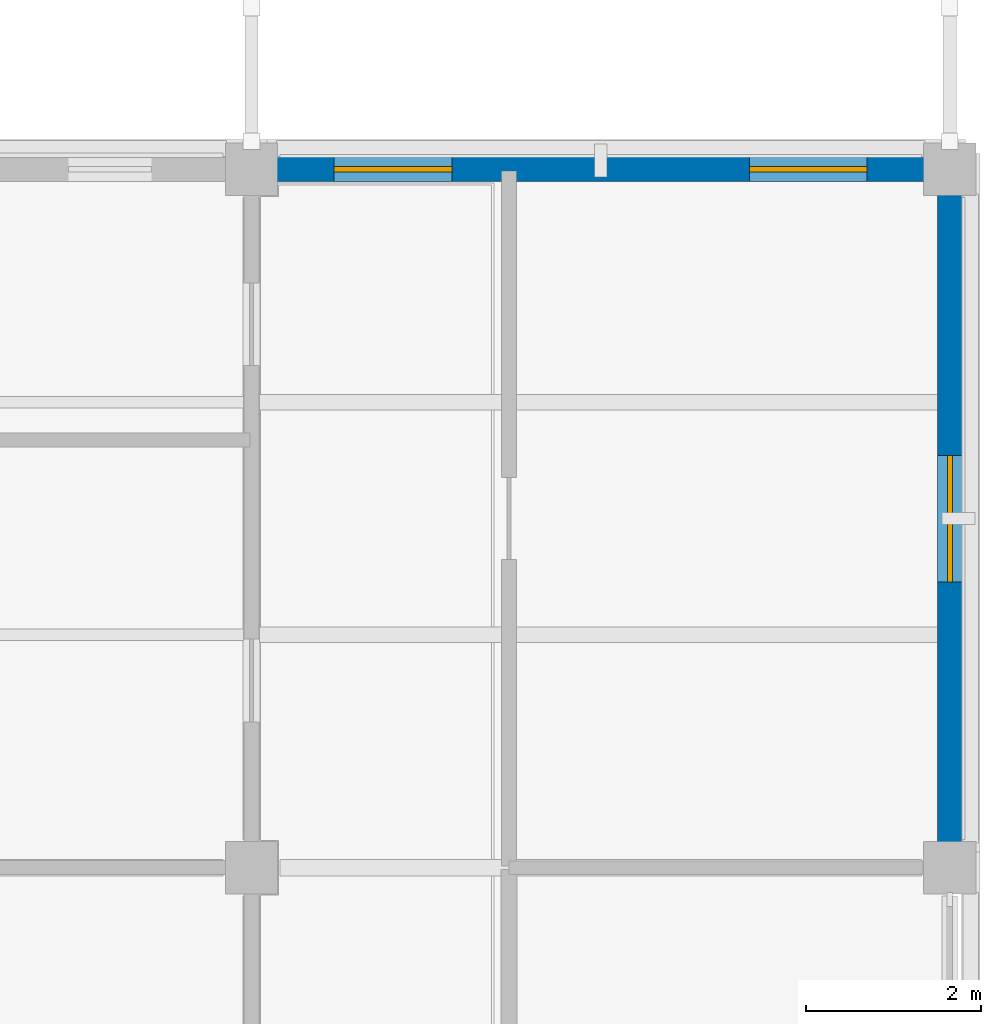
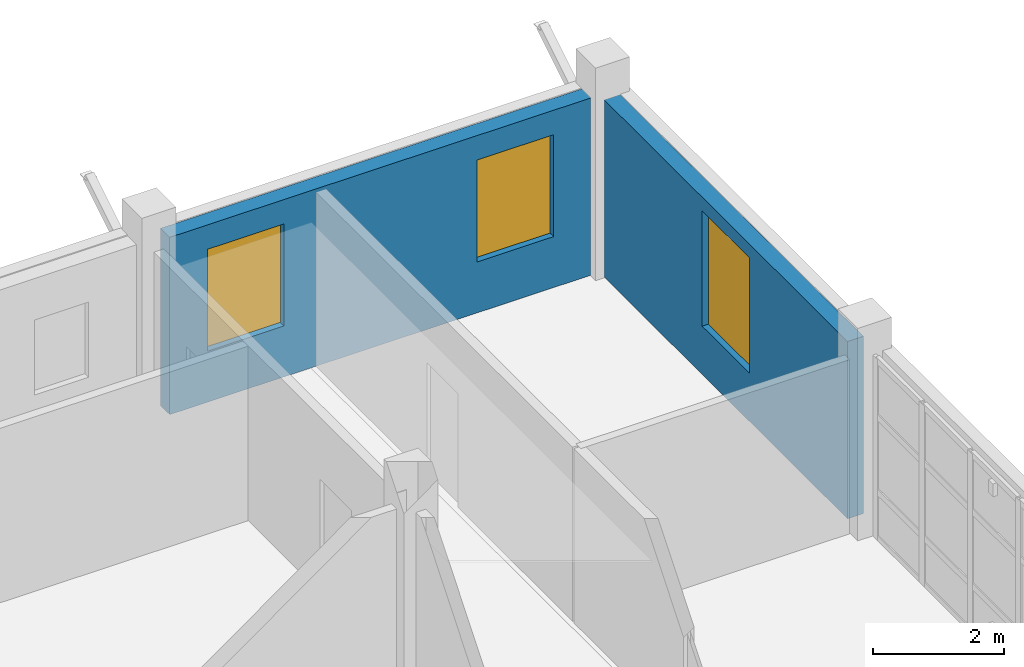
# One storey, part 28 of 35: 3 windows, 2 walls, 3 openings.
"""IFC4 building model written with IfcOpenShell, lengths in metres."""

from ifc_helpers import new_model, si_unit, derived_unit, direction, frame, frame_2d, origin, place, context, subcontext, project, spatial, rectangle, extrude, material, layer, layer_set, type_object, element, fill, save


model = new_model("IFC4")

# Units and contexts
model_context = context("Model", 3, precision=1e-05, world=origin(), true_north=direction((0.0, 1.0)))
body_context = subcontext(model_context, "Body", "Model", "MODEL_VIEW")
ifc_project = project(units=[si_unit("LENGTHUNIT", "METRE"), si_unit("AREAUNIT", "SQUARE_METRE"), si_unit("VOLUMEUNIT", "CUBIC_METRE"), si_unit("PLANEANGLEUNIT", "RADIAN"), si_unit("MASSUNIT", "GRAM", prefix="KILO"), derived_unit("THERMALTRANSMITTANCEUNIT", [(si_unit("MASSUNIT", "GRAM", prefix="KILO"), 1), (si_unit("TIMEUNIT", "SECOND"), -3), (si_unit("THERMODYNAMICTEMPERATUREUNIT", "KELVIN"), -1)])], contexts=[model_context])

# Site, building, storey
site_placement = place(None, origin())
site = spatial("IfcSite", under=ifc_project, at=site_placement, CompositionType="ELEMENT")
building_placement = place(site_placement, origin())
building = spatial("IfcBuilding", under=site, at=building_placement, Name="Veyamyaing Civic Hall", CompositionType="ELEMENT")
storey_placement = place(building_placement, frame((0.0, 0.0, 21.780029296875)))
storey = spatial("IfcBuildingStorey", under=building, at=storey_placement, Name="L05", CompositionType="ELEMENT", Elevation=21.780029296875)

# Wall, openings, windows
ifc_material_1 = material(Name="Precast concrete C40/50", Category="concrete")
ifc_layer = layer(ifc_material_1, 0.280029296875, Name="Precast concrete C40/50")
ifc_layer_set = layer_set([ifc_layer], Name="Precast concrete C40/50")
wall_type = type_object("IfcWallType", Name="WT-04", PredefinedType="SOLIDWALL", material=ifc_layer_set)
wall_1_placement = place(storey_placement, frame((168.284912109375, 112.0, 0.0), z_axis=(0.0, 0.0, 1.0), x_axis=(1.0, 0.0, 0.0)))
wall_1 = element("IfcWall", 1, at=wall_1_placement, inside=storey, type_object=wall_type, Name="Exterior facade wall WT-04 L05 N 22.14", PredefinedType="SOLIDWALL", context=body_context, shape_type="SweptSolid", body=[
    extrude(rectangle(XDim=7.43017578125, YDim=0.280029296875, at=frame_2d((3.715087890625, 0.0))), origin(), (0.0, 0.0, 1.0), 3.304931640625),
])
opening_1_placement = place(wall_1_placement, frame((0.662353515625, 0.0, 0.949951171875)))
opening_1 = element("IfcOpeningElement", 2, at=opening_1_placement, cuts=wall_1, Name="Opening W-13", PredefinedType="OPENING", context=body_context, shape_type="SweptSolid", body=[
    extrude(rectangle(XDim=1.35009765625, YDim=1.89990234375, at=frame_2d((0.675048828125, 0.949951171875))), frame((0.0, 0.14990234375, 0.0), z_axis=(0.0, -1.0, 0.0), x_axis=(1.0, 0.0, 0.0)), (0.0, 0.0, 1.0), 0.300048828125),
])
opening_2_placement = place(wall_1_placement, frame((5.41748046875, 0.0, 0.949951171875)))
opening_2 = element("IfcOpeningElement", 3, at=opening_2_placement, cuts=wall_1, Name="Opening W-13", PredefinedType="OPENING", context=body_context, shape_type="SweptSolid", body=[
    extrude(rectangle(XDim=1.35009765625, YDim=1.89990234375, at=frame_2d((0.675048828125, 0.949951171875))), frame((0.0, 0.14990234375, 0.0), z_axis=(0.0, -1.0, 0.0), x_axis=(1.0, 0.0, 0.0)), (0.0, 0.0, 1.0), 0.300048828125),
])
ifc_material_2 = material(Name="Low-E insulated glass", Category="glass")
window_type_1 = type_object("IfcWindowType", Name="W-13", PartitioningType="SINGLE_PANEL", PredefinedType="WINDOW", material=ifc_material_2)
window_1_placement = place(opening_1_placement, origin())
window_1 = element("IfcWindow", 4, at=window_1_placement, inside=storey, type_object=window_type_1, Name="Facade window W-13 L05 N 22.14.1", OverallHeight=1.89990234375, OverallWidth=1.35009765625, PartitioningType="SINGLE_PANEL", PredefinedType="WINDOW", context=body_context, shape_type="SweptSolid", body=[
    extrude(rectangle(XDim=1.35009765625, YDim=1.89990234375, at=frame_2d((0.675048828125, 0.949951171875))), frame((0.0, 0.030029296875, 0.0), z_axis=(0.0, -1.0, 0.0), x_axis=(1.0, 0.0, 0.0)), (0.0, 0.0, 1.0), 0.06005859375),
])
fill(opening_1, window_1)
window_2_placement = place(opening_2_placement, origin())
window_2 = element("IfcWindow", 5, at=window_2_placement, inside=storey, type_object=window_type_1, Name="Facade window W-13 L05 N 22.14.2", OverallHeight=1.89990234375, OverallWidth=1.35009765625, PartitioningType="SINGLE_PANEL", PredefinedType="WINDOW", context=body_context, shape_type="SweptSolid", body=[
    extrude(rectangle(XDim=1.35009765625, YDim=1.89990234375, at=frame_2d((0.675048828125, 0.949951171875))), frame((0.0, 0.030029296875, 0.0), z_axis=(0.0, -1.0, 0.0), x_axis=(1.0, 0.0, 0.0)), (0.0, 0.0, 1.0), 0.06005859375),
])
fill(opening_2, window_2)

# Wall, opening, window
wall_2_placement = place(storey_placement, frame((176.0, 104.284912109375, 0.0), z_axis=(0.0, 0.0, 1.0), x_axis=(0.0, 1.0, 0.0)))
wall_2 = element("IfcWall", 6, at=wall_2_placement, inside=storey, type_object=wall_type, Name="Exterior facade wall WT-04 L05 E 22.14", PredefinedType="SOLIDWALL", context=body_context, shape_type="SweptSolid", body=[
    extrude(rectangle(XDim=7.43017578125, YDim=0.280029296875, at=frame_2d((3.715087890625, 0.0))), origin(), (0.0, 0.0, 1.0), 3.304931640625),
])
opening_3_placement = place(wall_2_placement, frame((2.989990234375, 0.0, 0.89990234375)))
opening_3 = element("IfcOpeningElement", 7, at=opening_3_placement, cuts=wall_2, Name="Opening W-23", PredefinedType="OPENING", context=body_context, shape_type="SweptSolid", body=[
    extrude(rectangle(XDim=1.449951171875, YDim=2.14990234375, at=frame_2d((0.72509765625, 1.074951171875))), frame((0.0, 0.14990234375, 0.0), z_axis=(0.0, -1.0, 0.0), x_axis=(1.0, 0.0, 0.0)), (0.0, 0.0, 1.0), 0.300048828125),
])
window_type_2 = type_object("IfcWindowType", Name="W-23", PartitioningType="SINGLE_PANEL", PredefinedType="WINDOW", material=ifc_material_2)
window_3_placement = place(opening_3_placement, origin())
window_3 = element("IfcWindow", 8, at=window_3_placement, inside=storey, type_object=window_type_2, Name="Facade window W-23 L05 E 22.14", OverallHeight=2.14990234375, OverallWidth=1.449951171875, PartitioningType="SINGLE_PANEL", PredefinedType="WINDOW", context=body_context, shape_type="SweptSolid", body=[
    extrude(rectangle(XDim=1.449951171875, YDim=2.14990234375, at=frame_2d((0.72509765625, 1.074951171875))), frame((0.0, 0.030029296875, 0.0), z_axis=(0.0, -1.0, 0.0), x_axis=(1.0, 0.0, 0.0)), (0.0, 0.0, 1.0), 0.06005859375),
])
fill(opening_3, window_3)

save(model, "model.ifc")
